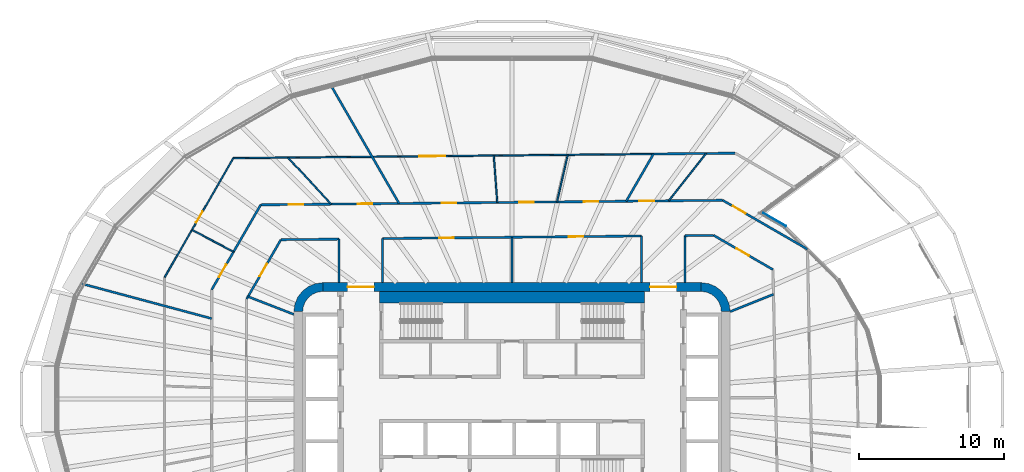
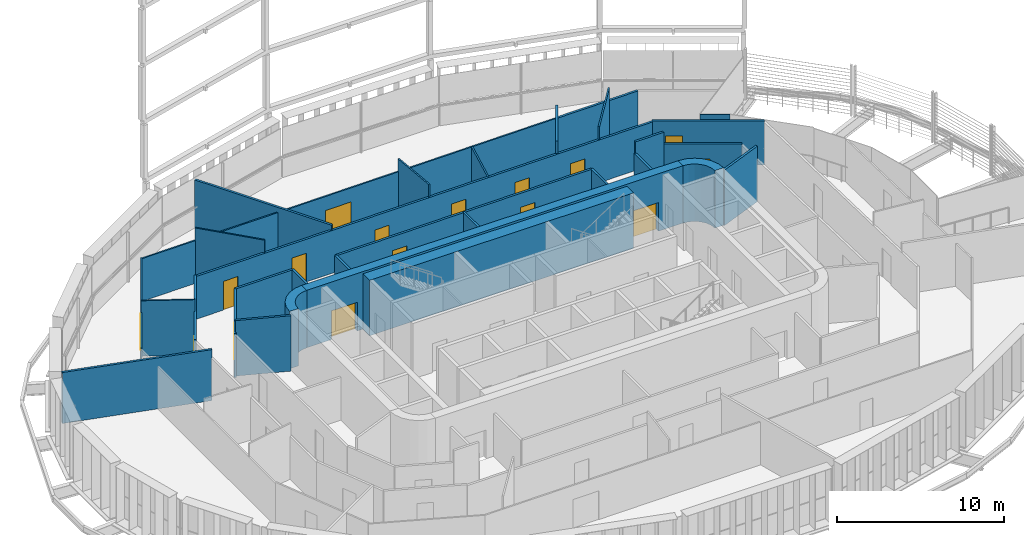
# One storey, part 18 of 28: 31 walls, 16 doors, 16 openings.
"""IFC4 building model written with IfcOpenShell, lengths in metres."""

import ifcopenshell
import ifcopenshell.guid

model = None  # the IFC model being written
_history = None  # IfcOwnerHistory: only IFC2X3 demands one
_inside = {}  # id of a spatial element -> (the spatial element, [elements in it])
_under = {}  # id of a project, library or spatial element -> (it, [spatial elements below it])
_declared = {}  # id of a project -> (the project, [libraries it declares])
_typed = {}  # id of a type object -> (the type object, [elements of that type])
_made_of = {}  # id of a material, layer set ... -> (it, [elements and type objects made of it])


def new_model(schema):
    """Start an empty IFC model of exactly this schema.

    Asked for "IFC4X3", IfcOpenShell would pick the latest addendum, in which some entities
    have other attributes; the version numbers below select the first issue.
    IFC2X3 requires an IfcOwnerHistory on every rooted entity: one is made here for all.
    """
    global model, _history
    if schema == "IFC4X3":
        model = ifcopenshell.file(schema_version=(4, 3, 0, 0))
    else:
        model = ifcopenshell.file(schema=schema)
    _inside.clear()
    _under.clear()
    _declared.clear()
    _typed.clear()
    _made_of.clear()
    _history = None
    if model.schema == "IFC2X3":
        org = make("IfcOrganization", Name="unknown")
        user = make(
            "IfcPersonAndOrganization",
            ThePerson=make("IfcPerson", FamilyName="unknown"),
            TheOrganization=org,
        )
        app = make(
            "IfcApplication",
            ApplicationDeveloper=org,
            Version="unknown",
            ApplicationFullName="unknown",
            ApplicationIdentifier="unknown",
        )
        _history = make(
            "IfcOwnerHistory",
            OwningUser=user,
            OwningApplication=app,
            ChangeAction="ADDED",
            CreationDate=0,
        )
    return model


def make(cls, **values):
    """One entity of the class cls with the attributes given. An attribute that is None is left unset."""
    return model.create_entity(
        cls, **{name: value for name, value in values.items() if value is not None}
    )


def rooted(cls, **values):
    """An entity with a GlobalId (a new one), such as an element, a storey or a relation."""
    return make(cls, GlobalId=ifcopenshell.guid.new(), OwnerHistory=_history, **values)


def si_unit(unit_type, name, prefix=None):
    """IfcSIUnit, for example si_unit("LENGTHUNIT", "METRE", prefix="MILLI")."""
    return make("IfcSIUnit", UnitType=unit_type, Prefix=prefix, Name=name)


def assignment(units):
    """IfcUnitAssignment: the units of a project."""
    return None if units is None else make("IfcUnitAssignment", Units=units)


def point(xyz):
    """IfcCartesianPoint."""
    return None if xyz is None else make("IfcCartesianPoint", Coordinates=xyz)


def direction(xyz):
    """IfcDirection."""
    return None if xyz is None else make("IfcDirection", DirectionRatios=xyz)


def frame(location, z_axis=None, x_axis=None):
    """IfcAxis2Placement3D, a coordinate frame: its origin and axes. An axis left out is left unset."""
    return make(
        "IfcAxis2Placement3D",
        Location=point(location),
        Axis=direction(z_axis),
        RefDirection=direction(x_axis),
    )


def frame_2d(location, x_axis=None):
    """IfcAxis2Placement2D, a coordinate frame in the plane: its origin and x axis."""
    return make(
        "IfcAxis2Placement2D", Location=point(location), RefDirection=direction(x_axis)
    )


def origin():
    """The frame at (0, 0, 0) with its axes left unset."""
    return frame((0.0, 0.0, 0.0))


def place(relative_to, where):
    """IfcLocalPlacement: puts the frame where relative to a parent placement (None: the world)."""
    return make(
        "IfcLocalPlacement", PlacementRelTo=relative_to, RelativePlacement=where
    )


def context(
    kind, dimensions, precision=None, world=None, true_north=None, identifier=None
):
    """IfcGeometricRepresentationContext, for example the 3D "Model" context."""
    return make(
        "IfcGeometricRepresentationContext",
        ContextIdentifier=identifier,
        ContextType=kind,
        CoordinateSpaceDimension=dimensions,
        Precision=precision,
        WorldCoordinateSystem=world,
        TrueNorth=true_north,
    )


def subcontext(parent, identifier, kind, view, scale=None):
    """IfcGeometricRepresentationSubContext, for example "Body" below "Model"."""
    return make(
        "IfcGeometricRepresentationSubContext",
        ContextIdentifier=identifier,
        ContextType=kind,
        ParentContext=parent,
        TargetScale=scale,
        TargetView=view,
    )


def project(units=None, contexts=None):
    """IfcProject with its units and contexts."""
    return rooted(
        "IfcProject",
        Name="project",
        RepresentationContexts=contexts,
        UnitsInContext=assignment(units),
    )


def spatial(cls, under=None, at=None, **own):
    """A site, building, storey or space (cls), placed at a placement, below another one or the project."""
    s = rooted(cls, ObjectPlacement=at, **own)
    if under is not None:
        _under.setdefault(under.id(), (under, []))[1].append(s)
    return s


def polyline(points):
    """IfcPolyline through the points."""
    return make("IfcPolyline", Points=[point(p) for p in points])


def profile(cls, at=None, kind="AREA", **sizes):
    """A parametric profile (cls). Its sizes go by their IFC names, for example OverallWidth=200.0."""
    return make(cls, ProfileType=kind, Position=at, **sizes)


def rectangle(**sizes):
    """IfcRectangleProfileDef."""
    return profile("IfcRectangleProfileDef", **sizes)


def outline(outer, holes=None, kind="AREA"):
    """IfcArbitraryClosedProfileDef: a profile drawn as a closed curve; with holes, ...WithVoids."""
    if holes is None:
        return make("IfcArbitraryClosedProfileDef", ProfileType=kind, OuterCurve=outer)
    return make(
        "IfcArbitraryProfileDefWithVoids",
        ProfileType=kind,
        OuterCurve=outer,
        InnerCurves=holes,
    )


def extrude(swept, where, along, depth):
    """IfcExtrudedAreaSolid: the profile swept, set in the frame where, extruded along a direction by depth."""
    return make(
        "IfcExtrudedAreaSolid",
        SweptArea=swept,
        Position=where,
        ExtrudedDirection=direction(along),
        Depth=depth,
    )


def shape(context_of_items, identifier, shape_type, items):
    """IfcShapeRepresentation: the items that make up one representation, for example the "Body"."""
    return make(
        "IfcShapeRepresentation",
        ContextOfItems=context_of_items,
        RepresentationIdentifier=identifier,
        RepresentationType=shape_type,
        Items=items,
    )


def material(Name=None, Category=None):
    """IfcMaterial."""
    return make("IfcMaterial", Name=Name, Category=Category)


def layer(
    of_material, thickness, ventilated=None, Name=None, Category=None, Priority=None
):
    """IfcMaterialLayer: one layer of a wall or slab, of a material (None: an air gap)."""
    return make(
        "IfcMaterialLayer",
        Material=of_material,
        LayerThickness=thickness,
        IsVentilated=ventilated,
        Name=Name,
        Category=Category,
        Priority=Priority,
    )


def layer_set(layers, Name=None):
    """IfcMaterialLayerSet."""
    return make("IfcMaterialLayerSet", MaterialLayers=layers, LayerSetName=Name)


def made_of(thing, what):
    """Note that an element or type object is made of a material, layer set ...; save() writes the relation."""
    if what is not None:
        _made_of.setdefault(what.id(), (what, []))[1].append(thing)
    return thing


def type_object(cls, material=None, **own):
    """A type object (cls), such as IfcWallType, which elements share."""
    return made_of(rooted(cls, **own), material)


def element(
    cls,
    number,
    at=None,
    inside=None,
    cuts=None,
    type_object=None,
    material=None,
    context=None,
    identifier="Body",
    shape_type=None,
    held_by="IfcProductDefinitionShape",
    body=None,
    shapes=None,
    **own,
):
    """One element of the class cls, such as IfcWall. Its Tag is "e" and its number.

    at: its placement. inside: the storey or other place that contains it. cuts: it is an
    opening in that element (IfcRelVoidsElement). A single representation is given by context,
    identifier, shape_type and body (its items); several are given by shapes. held_by: the class
    of the entity that holds the representations. save() writes the other relations.
    """
    e = rooted(cls, Tag="e%d" % number, ObjectPlacement=at, **own)
    if body is not None:
        shapes = [shape(context, identifier, shape_type, body)]
    if shapes is not None:
        e.Representation = make(held_by, Representations=shapes)
    if inside is not None:
        _inside.setdefault(inside.id(), (inside, []))[1].append(e)
    if cuts is not None:
        rooted(
            "IfcRelVoidsElement", RelatingBuildingElement=cuts, RelatedOpeningElement=e
        )
    if type_object is not None:
        _typed.setdefault(type_object.id(), (type_object, []))[1].append(e)
    return made_of(e, material)


def fill(opening, filler):
    """IfcRelFillsElement: the door or window that sits in an opening."""
    return rooted(
        "IfcRelFillsElement",
        RelatingOpeningElement=opening,
        RelatedBuildingElement=filler,
    )


def aggregate(whole, parts):
    """IfcRelAggregates: a whole, such as a stair, and the parts it consists of."""
    return rooted("IfcRelAggregates", RelatingObject=whole, RelatedObjects=parts)


def save(model, path):
    """Write the relations noted so far, then the file.

    IfcRelAggregates (storeys below a building ...), IfcRelContainedInSpatialStructure (elements
    in a storey), IfcRelDefinesByType, IfcRelAssociatesMaterial and IfcRelDeclares: one each for
    every whole, place, type object, material and project.
    """
    for whole, parts in _under.values():
        aggregate(whole, parts)
    for where, things in _inside.values():
        rooted(
            "IfcRelContainedInSpatialStructure",
            RelatedElements=things,
            RelatingStructure=where,
        )
    for kind, things in _typed.values():
        rooted("IfcRelDefinesByType", RelatedObjects=things, RelatingType=kind)
    for what, things in _made_of.values():
        rooted("IfcRelAssociatesMaterial", RelatedObjects=things, RelatingMaterial=what)
    for by, libraries in _declared.values():
        rooted("IfcRelDeclares", RelatingContext=by, RelatedDefinitions=libraries)
    model.write(path)


model = new_model("IFC4")

# Units and contexts
model_context = context("Model", 3, precision=1e-05, world=origin(), true_north=direction((0.0, 1.0)))
body_context = subcontext(model_context, "Body", "Model", "MODEL_VIEW")
ifc_project = project(units=[si_unit("LENGTHUNIT", "METRE"), si_unit("AREAUNIT", "SQUARE_METRE"), si_unit("VOLUMEUNIT", "CUBIC_METRE"), si_unit("PLANEANGLEUNIT", "RADIAN"), si_unit("MASSUNIT", "GRAM", prefix="KILO")], contexts=[model_context])

# Site, building, storey
site_placement = place(None, origin())
site = spatial("IfcSite", under=ifc_project, at=site_placement, CompositionType="ELEMENT")
building_placement = place(site_placement, origin())
building = spatial("IfcBuilding", under=site, at=building_placement, Name="Sahrelin Media Tower", CompositionType="ELEMENT")
storey_placement = place(building_placement, frame((0.0, 0.0, 75.60009765625)))
storey = spatial("IfcBuildingStorey", under=building, at=storey_placement, Name="L13", CompositionType="ELEMENT", Elevation=75.60009765625)

# Wall, openings, doors
ifc_material_1 = material(Name="Concrete C60/75", Category="concrete")
ifc_layer_1 = layer(ifc_material_1, 0.60009765625)
ifc_layer_set_1 = layer_set([ifc_layer_1], Name="Core wall 600")
wall_type_1 = type_object("IfcWallType", Name="Core wall 600", PredefinedType="SHEAR", material=ifc_layer_set_1)
wall_1_placement = place(storey_placement, frame((-13.0, 7.699951171875, 0.0), z_axis=(0.0, 0.0, 1.0), x_axis=(1.0, 0.0, 0.0)))
wall_1 = element("IfcWall", 1, at=wall_1_placement, inside=storey, type_object=wall_type_1, Name="Core wall N L13", PredefinedType="SHEAR", context=body_context, shape_type="SweptSolid", body=[
    extrude(rectangle(XDim=26.0, YDim=0.60009765625, at=frame_2d((13.0, 0.0))), origin(), (0.0, 0.0, 1.0), 4.199951171875),
])
opening_1_placement = place(wall_1_placement, frame((1.699951171875, 0.0, 0.0)))
opening_1 = element("IfcOpeningElement", 2, at=opening_1_placement, cuts=wall_1, Name="Opening L13-D16", PredefinedType="OPENING", context=body_context, shape_type="SweptSolid", body=[
    extrude(rectangle(XDim=1.800048828125, YDim=2.10009765625, at=frame_2d((0.89990234375, 1.050048828125))), frame((0.0, 0.300048828125, 0.0), z_axis=(0.0, -1.0, 0.0), x_axis=(1.0, 0.0, 0.0)), (0.0, 0.0, 1.0), 0.60009765625),
])
opening_2_placement = place(wall_1_placement, frame((22.5, 0.0, 0.0)))
opening_2 = element("IfcOpeningElement", 3, at=opening_2_placement, cuts=wall_1, Name="Opening L13-D17", PredefinedType="OPENING", context=body_context, shape_type="SweptSolid", body=[
    extrude(rectangle(XDim=1.800048828125, YDim=2.10009765625, at=frame_2d((0.89990234375, 1.050048828125))), frame((0.0, 0.300048828125, 0.0), z_axis=(0.0, -1.0, 0.0), x_axis=(1.0, 0.0, 0.0)), (0.0, 0.0, 1.0), 0.60009765625),
])
ifc_material_2 = material(Name="Steel fire door leaf", Category="steel")
door_type_1 = type_object("IfcDoorType", Name="Lobby double door 1800 x 2100 EI 60", OperationType="DOUBLE_DOOR_SINGLE_SWING", PredefinedType="DOOR", material=ifc_material_2)
door_1_placement = place(opening_1_placement, origin())
door_1 = element("IfcDoor", 4, at=door_1_placement, inside=storey, type_object=door_type_1, Name="Lobby door", OperationType="DOUBLE_DOOR_SINGLE_SWING", OverallHeight=2.10009765625, OverallWidth=1.800048828125, PredefinedType="DOOR", context=body_context, shape_type="SweptSolid", body=[
    extrude(rectangle(XDim=1.800048828125, YDim=2.10009765625, at=frame_2d((0.89990234375, 1.050048828125))), frame((0.0, 0.02490234375, 0.0), z_axis=(0.0, -1.0, 0.0), x_axis=(1.0, 0.0, 0.0)), (0.0, 0.0, 1.0), 0.050048828125),
])
fill(opening_1, door_1)
door_2_placement = place(opening_2_placement, origin())
door_2 = element("IfcDoor", 5, at=door_2_placement, inside=storey, type_object=door_type_1, Name="Lobby door", OperationType="DOUBLE_DOOR_SINGLE_SWING", OverallHeight=2.10009765625, OverallWidth=1.800048828125, PredefinedType="DOOR", context=body_context, shape_type="SweptSolid", body=[
    extrude(rectangle(XDim=1.800048828125, YDim=2.10009765625, at=frame_2d((0.89990234375, 1.050048828125))), frame((0.0, 0.02490234375, 0.0), z_axis=(0.0, -1.0, 0.0), x_axis=(1.0, 0.0, 0.0)), (0.0, 0.0, 1.0), 0.050048828125),
])
fill(opening_2, door_2)

# Walls
placement = place(storey_placement, origin())
element("IfcWall", 6, at=placement, inside=storey, type_object=wall_type_1, Name="Core wall corner NE L13", PredefinedType="SHEAR", context=body_context, shape_type="SweptSolid", body=[
    extrude(outline(polyline([(13.0, 8.0), (13.0, 7.394775390625), (13.361083984375, 7.347412109375), (13.697509765625, 7.2080078125), (13.986328125, 6.986328125), (14.2080078125, 6.697509765625), (14.347412109375, 6.361083984375), (14.394775390625, 6.0), (15.0, 6.0), (14.931884765625, 6.517578125), (14.732177734375, 7.0), (14.414306640625, 7.414306640625), (14.0, 7.732177734375), (13.517578125, 7.931884765625), (13.0, 8.0)])), origin(), (0.0, 0.0, 1.0), 4.199951171875),
])
element("IfcWall", 7, at=placement, inside=storey, type_object=wall_type_1, Name="Core wall corner NW L13", PredefinedType="SHEAR", context=body_context, shape_type="SweptSolid", body=[
    extrude(outline(polyline([(-15.0, 6.0), (-14.394775390625, 6.0), (-14.347412109375, 6.361083984375), (-14.2080078125, 6.697509765625), (-13.986328125, 6.986328125), (-13.697509765625, 7.2080078125), (-13.361083984375, 7.347412109375), (-13.0, 7.394775390625), (-13.0, 8.0), (-13.517578125, 7.931884765625), (-14.0, 7.732177734375), (-14.414306640625, 7.414306640625), (-14.732177734375, 7.0), (-14.931884765625, 6.517578125), (-15.0, 6.0)])), origin(), (0.0, 0.0, 1.0), 4.199951171875),
])
ifc_material_3 = material(Name="Fire-rated gypsum board partition")
ifc_layer_2 = layer(ifc_material_3, 0.14990234375)
ifc_layer_set_2 = layer_set([ifc_layer_2], Name="Fire-rated partition 150")
wall_type_2 = type_object("IfcWallType", Name="Fire-rated partition 150", PredefinedType="PARTITIONING", material=ifc_layer_set_2)
wall_4_placement = place(storey_placement, frame((-12.490966796875, 21.634033203125, 0.0), z_axis=(0.0, 0.0, 1.0), x_axis=(0.500023386278, -0.86601190129, 0.0)))
element("IfcWall", 8, at=wall_4_placement, inside=storey, type_object=wall_type_2, Name="Wall", PredefinedType="PARTITIONING", context=body_context, shape_type="SweptSolid", body=[
    extrude(rectangle(XDim=9.45703125, YDim=0.14990234375, at=frame_2d((4.728515625, 0.0))), origin(), (0.0, 0.0, 1.0), 3.501708984375),
])

# Wall, opening, door
wall_5_placement = place(storey_placement, frame((13.85595703125, 11.259033203125, 0.0), z_axis=(0.0, 0.0, 1.0), x_axis=(0.865971100816, -0.500094043707, 0.0)))
wall_5 = element("IfcWall", 9, at=wall_5_placement, inside=storey, type_object=wall_type_2, Name="Wall", PredefinedType="PARTITIONING", context=body_context, shape_type="SweptSolid", body=[
    extrude(rectangle(XDim=4.72021484375, YDim=0.14990234375, at=frame_2d((2.360107421875, 0.0))), origin(), (0.0, 0.0, 1.0), 3.195068359375),
])
opening_3_placement = place(wall_5_placement, frame((1.81201171875, 0.0, 0.0)))
opening_3 = element("IfcOpeningElement", 10, at=opening_3_placement, cuts=wall_5, Name="Opening L13-D25", PredefinedType="OPENING", context=body_context, shape_type="SweptSolid", body=[
    extrude(rectangle(XDim=1.0, YDim=2.10009765625, at=frame_2d((0.5, 1.050048828125))), frame((0.0, 0.074951171875, 0.0), z_axis=(0.0, -1.0, 0.0), x_axis=(1.0, 0.0, 0.0)), (0.0, 0.0, 1.0), 0.14990234375),
])
door_type_2 = type_object("IfcDoorType", Name="Fire door 1000 x 2100 EI 60", OperationType="NOTDEFINED", PredefinedType="DOOR", material=ifc_material_2)
door_3_placement = place(opening_3_placement, origin())
door_3 = element("IfcDoor", 11, at=door_3_placement, inside=storey, type_object=door_type_2, Name="Fire door", OperationType="SINGLE_SWING_LEFT", OverallHeight=2.10009765625, OverallWidth=1.0, PredefinedType="DOOR", context=body_context, shape_type="SweptSolid", body=[
    extrude(rectangle(XDim=1.0, YDim=2.10009765625, at=frame_2d((0.5, 1.050048828125))), frame((0.0, 0.02490234375, 0.0), z_axis=(0.0, -1.0, 0.0), x_axis=(1.0, 0.0, 0.0)), (0.0, 0.0, 1.0), 0.050048828125),
])
fill(opening_3, door_3)

wall_6_placement = place(storey_placement, frame((14.48779296875, 13.664794921875, 0.0), z_axis=(0.0, 0.0, 1.0), x_axis=(0.865978916812, -0.500080509155, 0.0)))
wall_6 = element("IfcWall", 12, at=wall_6_placement, inside=storey, type_object=wall_type_2, Name="Wall", PredefinedType="PARTITIONING", context=body_context, shape_type="SweptSolid", body=[
    extrude(rectangle(XDim=6.728515625, YDim=0.14990234375, at=frame_2d((3.3642578125, 0.0))), origin(), (0.0, 0.0, 1.0), 3.195068359375),
])
opening_4_placement = place(wall_6_placement, frame((0.80322265625, 0.0, 0.0)))
opening_4 = element("IfcOpeningElement", 13, at=opening_4_placement, cuts=wall_6, Name="Opening L13-D40", PredefinedType="OPENING", context=body_context, shape_type="SweptSolid", body=[
    extrude(rectangle(XDim=1.0, YDim=2.10009765625, at=frame_2d((0.5, 1.050048828125))), frame((0.0, 0.074951171875, 0.0), z_axis=(0.0, -1.0, 0.0), x_axis=(1.0, 0.0, 0.0)), (0.0, 0.0, 1.0), 0.14990234375),
])
door_4_placement = place(opening_4_placement, origin())
door_4 = element("IfcDoor", 14, at=door_4_placement, inside=storey, type_object=door_type_2, Name="Fire door", OperationType="SINGLE_SWING_RIGHT", OverallHeight=2.10009765625, OverallWidth=1.0, PredefinedType="DOOR", context=body_context, shape_type="SweptSolid", body=[
    extrude(rectangle(XDim=1.0, YDim=2.10009765625, at=frame_2d((0.5, 1.050048828125))), frame((0.0, 0.02490234375, 0.0), z_axis=(0.0, -1.0, 0.0), x_axis=(1.0, 0.0, 0.0)), (0.0, 0.0, 1.0), 0.050048828125),
])
fill(opening_4, door_4)

# Walls
wall_7_placement = place(storey_placement, frame((-18.15087890625, 7.0419921875, 0.0), z_axis=(0.0, 0.0, 1.0), x_axis=(0.93232154811, -0.361630378881, 0.0)))
element("IfcWall", 15, at=wall_7_placement, inside=storey, type_object=wall_type_2, Name="Wall", PredefinedType="PARTITIONING", context=body_context, shape_type="SweptSolid", body=[
    extrude(rectangle(XDim=3.379638671875, YDim=0.14990234375, at=frame_2d((1.68994140625, 0.0))), origin(), (0.0, 0.0, 1.0), 4.0498046875),
])
wall_8_placement = place(storey_placement, frame((-29.60498046875, 7.93310546875, 0.0), z_axis=(0.0, 0.0, 1.0), x_axis=(0.965908551929, -0.258883505289, 0.0)))
element("IfcWall", 16, at=wall_8_placement, inside=storey, type_object=wall_type_2, Name="Wall", PredefinedType="PARTITIONING", context=body_context, shape_type="SweptSolid", body=[
    extrude(rectangle(XDim=9.271240234375, YDim=0.14990234375, at=frame_2d((4.6357421875, 0.0))), origin(), (0.0, 0.0, 1.0), 3.7265625),
])
wall_9_placement = place(storey_placement, frame((-15.886962890625, 10.952880859375, 0.0), z_axis=(0.0, 0.0, 1.0), x_axis=(0.999950802569, 0.009919296431, 0.0)))
element("IfcWall", 17, at=wall_9_placement, inside=storey, type_object=wall_type_2, Name="Wall", PredefinedType="PARTITIONING", context=body_context, shape_type="SweptSolid", body=[
    extrude(rectangle(XDim=3.9873046875, YDim=0.14990234375, at=frame_2d((1.99365234375, 0.0))), origin(), (0.0, 0.0, 1.0), 3.195068359375),
])

# Wall, openings, doors
wall_10_placement = place(storey_placement, frame((-8.89990234375, 11.032958984375, 0.0), z_axis=(0.0, 0.0, 1.0), x_axis=(0.999950834077, 0.009916119672, 0.0)))
wall_10 = element("IfcWall", 18, at=wall_10_placement, inside=storey, type_object=wall_type_2, Name="Wall", PredefinedType="PARTITIONING", context=body_context, shape_type="SweptSolid", body=[
    extrude(rectangle(XDim=17.80078125, YDim=0.14990234375, at=frame_2d((8.900390625, 0.0))), origin(), (0.0, 0.0, 1.0), 3.126953125),
])
opening_5_placement = place(wall_10_placement, frame((12.80029296875, 0.0, 0.0)))
opening_5 = element("IfcOpeningElement", 19, at=opening_5_placement, cuts=wall_10, Name="Opening L13-D26", PredefinedType="OPENING", context=body_context, shape_type="SweptSolid", body=[
    extrude(rectangle(XDim=1.0, YDim=2.10009765625, at=frame_2d((0.5, 1.050048828125))), frame((0.0, 0.074951171875, 0.0), z_axis=(0.0, -1.0, 0.0), x_axis=(1.0, 0.0, 0.0)), (0.0, 0.0, 1.0), 0.14990234375),
])
opening_6_placement = place(wall_10_placement, frame((3.901123046875, 0.0, 0.0)))
opening_6 = element("IfcOpeningElement", 20, at=opening_6_placement, cuts=wall_10, Name="Opening L13-D27", PredefinedType="OPENING", context=body_context, shape_type="SweptSolid", body=[
    extrude(rectangle(XDim=1.0, YDim=2.10009765625, at=frame_2d((0.5, 1.050048828125))), frame((0.0, 0.074951171875, 0.0), z_axis=(0.0, -1.0, 0.0), x_axis=(1.0, 0.0, 0.0)), (0.0, 0.0, 1.0), 0.14990234375),
])
door_5_placement = place(opening_5_placement, origin())
door_5 = element("IfcDoor", 21, at=door_5_placement, inside=storey, type_object=door_type_2, Name="Fire door", OperationType="SINGLE_SWING_RIGHT", OverallHeight=2.10009765625, OverallWidth=1.0, PredefinedType="DOOR", context=body_context, shape_type="SweptSolid", body=[
    extrude(rectangle(XDim=1.0, YDim=2.10009765625, at=frame_2d((0.5, 1.050048828125))), frame((0.0, 0.02490234375, 0.0), z_axis=(0.0, -1.0, 0.0), x_axis=(1.0, 0.0, 0.0)), (0.0, 0.0, 1.0), 0.050048828125),
])
fill(opening_5, door_5)
door_6_placement = place(opening_6_placement, origin())
door_6 = element("IfcDoor", 22, at=door_6_placement, inside=storey, type_object=door_type_2, Name="Fire door", OperationType="SINGLE_SWING_LEFT", OverallHeight=2.10009765625, OverallWidth=1.0, PredefinedType="DOOR", context=body_context, shape_type="SweptSolid", body=[
    extrude(rectangle(XDim=1.0, YDim=2.10009765625, at=frame_2d((0.5, 1.050048828125))), frame((0.0, 0.02490234375, 0.0), z_axis=(0.0, -1.0, 0.0), x_axis=(1.0, 0.0, 0.0)), (0.0, 0.0, 1.0), 0.050048828125),
])
fill(opening_6, door_6)

# Wall
wall_11_placement = place(storey_placement, frame((11.89990234375, 11.22998046875, 0.0), z_axis=(0.0, 0.0, 1.0), x_axis=(0.99995016583, 0.00998327883, 0.0)))
element("IfcWall", 23, at=wall_11_placement, inside=storey, type_object=wall_type_2, Name="Wall", PredefinedType="PARTITIONING", context=body_context, shape_type="SweptSolid", body=[
    extrude(rectangle(XDim=1.956298828125, YDim=0.14990234375, at=frame_2d((0.97802734375, 0.0))), origin(), (0.0, 0.0, 1.0), 4.0498046875),
])

# Wall, openings, doors
wall_12_placement = place(storey_placement, frame((-17.281005859375, 13.35009765625, 0.0), z_axis=(0.0, 0.0, 1.0), x_axis=(0.999950941336, 0.009905297661, 0.0)))
wall_12 = element("IfcWall", 24, at=wall_12_placement, inside=storey, type_object=wall_type_2, Name="Wall", PredefinedType="PARTITIONING", context=body_context, shape_type="SweptSolid", body=[
    extrude(rectangle(XDim=31.7705078125, YDim=0.14990234375, at=frame_2d((15.88525390625, 0.0))), origin(), (0.0, 0.0, 1.0), 3.126953125),
])
opening_7_placement = place(wall_12_placement, frame((26.046142578125, 0.0, 0.0)))
opening_7 = element("IfcOpeningElement", 25, at=opening_7_placement, cuts=wall_12, Name="Opening L13-D41", PredefinedType="OPENING", context=body_context, shape_type="SweptSolid", body=[
    extrude(rectangle(XDim=1.0, YDim=2.10009765625, at=frame_2d((0.5, 1.050048828125))), frame((0.0, 0.074951171875, 0.0), z_axis=(0.0, -1.0, 0.0), x_axis=(1.0, 0.0, 0.0)), (0.0, 0.0, 1.0), 0.14990234375),
])
opening_8_placement = place(wall_12_placement, frame((22.202880859375, 0.0, 0.0)))
opening_8 = element("IfcOpeningElement", 26, at=opening_8_placement, cuts=wall_12, Name="Opening L13-D43", PredefinedType="OPENING", context=body_context, shape_type="SweptSolid", body=[
    extrude(rectangle(XDim=1.0, YDim=2.10009765625, at=frame_2d((0.5, 1.050048828125))), frame((0.0, 0.074951171875, 0.0), z_axis=(0.0, -1.0, 0.0), x_axis=(1.0, 0.0, 0.0)), (0.0, 0.0, 1.0), 0.14990234375),
])
opening_9_placement = place(wall_12_placement, frame((17.773193359375, 0.0, 0.0)))
opening_9 = element("IfcOpeningElement", 27, at=opening_9_placement, cuts=wall_12, Name="Opening L13-D44", PredefinedType="OPENING", context=body_context, shape_type="SweptSolid", body=[
    extrude(rectangle(XDim=1.0, YDim=2.10009765625, at=frame_2d((0.5, 1.050048828125))), frame((0.0, 0.074951171875, 0.0), z_axis=(0.0, -1.0, 0.0), x_axis=(1.0, 0.0, 0.0)), (0.0, 0.0, 1.0), 0.14990234375),
])
opening_10_placement = place(wall_12_placement, frame((12.4453125, 0.0, 0.0)))
opening_10 = element("IfcOpeningElement", 28, at=opening_10_placement, cuts=wall_12, Name="Opening L13-D45", PredefinedType="OPENING", context=body_context, shape_type="SweptSolid", body=[
    extrude(rectangle(XDim=1.0, YDim=2.10009765625, at=frame_2d((0.5, 1.050048828125))), frame((0.0, 0.074951171875, 0.0), z_axis=(0.0, -1.0, 0.0), x_axis=(1.0, 0.0, 0.0)), (0.0, 0.0, 1.0), 0.14990234375),
])
opening_11_placement = place(wall_12_placement, frame((6.68359375, 0.0, 0.0)))
opening_11 = element("IfcOpeningElement", 29, at=opening_11_placement, cuts=wall_12, Name="Opening L13-D47", PredefinedType="OPENING", context=body_context, shape_type="SweptSolid", body=[
    extrude(rectangle(XDim=1.0, YDim=2.10009765625, at=frame_2d((0.5, 1.050048828125))), frame((0.0, 0.074951171875, 0.0), z_axis=(0.0, -1.0, 0.0), x_axis=(1.0, 0.0, 0.0)), (0.0, 0.0, 1.0), 0.14990234375),
])
opening_12_placement = place(wall_12_placement, frame((1.924560546875, 0.0, 0.0)))
opening_12 = element("IfcOpeningElement", 30, at=opening_12_placement, cuts=wall_12, Name="Opening L13-D48", PredefinedType="OPENING", context=body_context, shape_type="SweptSolid", body=[
    extrude(rectangle(XDim=1.0, YDim=2.10009765625, at=frame_2d((0.5, 1.050048828125))), frame((0.0, 0.074951171875, 0.0), z_axis=(0.0, -1.0, 0.0), x_axis=(1.0, 0.0, 0.0)), (0.0, 0.0, 1.0), 0.14990234375),
])
door_7_placement = place(opening_7_placement, origin())
door_7 = element("IfcDoor", 31, at=door_7_placement, inside=storey, type_object=door_type_2, Name="Fire door", OperationType="SINGLE_SWING_RIGHT", OverallHeight=2.10009765625, OverallWidth=1.0, PredefinedType="DOOR", context=body_context, shape_type="SweptSolid", body=[
    extrude(rectangle(XDim=1.0, YDim=2.10009765625, at=frame_2d((0.5, 1.050048828125))), frame((0.0, 0.02490234375, 0.0), z_axis=(0.0, -1.0, 0.0), x_axis=(1.0, 0.0, 0.0)), (0.0, 0.0, 1.0), 0.050048828125),
])
fill(opening_7, door_7)
door_8_placement = place(opening_8_placement, origin())
door_8 = element("IfcDoor", 32, at=door_8_placement, inside=storey, type_object=door_type_2, Name="Fire door", OperationType="SINGLE_SWING_RIGHT", OverallHeight=2.10009765625, OverallWidth=1.0, PredefinedType="DOOR", context=body_context, shape_type="SweptSolid", body=[
    extrude(rectangle(XDim=1.0, YDim=2.10009765625, at=frame_2d((0.5, 1.050048828125))), frame((0.0, 0.02490234375, 0.0), z_axis=(0.0, -1.0, 0.0), x_axis=(1.0, 0.0, 0.0)), (0.0, 0.0, 1.0), 0.050048828125),
])
fill(opening_8, door_8)
door_9_placement = place(opening_9_placement, origin())
door_9 = element("IfcDoor", 33, at=door_9_placement, inside=storey, type_object=door_type_2, Name="Fire door", OperationType="SINGLE_SWING_LEFT", OverallHeight=2.10009765625, OverallWidth=1.0, PredefinedType="DOOR", context=body_context, shape_type="SweptSolid", body=[
    extrude(rectangle(XDim=1.0, YDim=2.10009765625, at=frame_2d((0.5, 1.050048828125))), frame((0.0, 0.02490234375, 0.0), z_axis=(0.0, -1.0, 0.0), x_axis=(1.0, 0.0, 0.0)), (0.0, 0.0, 1.0), 0.050048828125),
])
fill(opening_9, door_9)
door_10_placement = place(opening_10_placement, origin())
door_10 = element("IfcDoor", 34, at=door_10_placement, inside=storey, type_object=door_type_2, Name="Fire door", OperationType="SINGLE_SWING_RIGHT", OverallHeight=2.10009765625, OverallWidth=1.0, PredefinedType="DOOR", context=body_context, shape_type="SweptSolid", body=[
    extrude(rectangle(XDim=1.0, YDim=2.10009765625, at=frame_2d((0.5, 1.050048828125))), frame((0.0, 0.02490234375, 0.0), z_axis=(0.0, -1.0, 0.0), x_axis=(1.0, 0.0, 0.0)), (0.0, 0.0, 1.0), 0.050048828125),
])
fill(opening_10, door_10)
door_11_placement = place(opening_11_placement, origin())
door_11 = element("IfcDoor", 35, at=door_11_placement, inside=storey, type_object=door_type_2, Name="Fire door", OperationType="SINGLE_SWING_RIGHT", OverallHeight=2.10009765625, OverallWidth=1.0, PredefinedType="DOOR", context=body_context, shape_type="SweptSolid", body=[
    extrude(rectangle(XDim=1.0, YDim=2.10009765625, at=frame_2d((0.5, 1.050048828125))), frame((0.0, 0.02490234375, 0.0), z_axis=(0.0, -1.0, 0.0), x_axis=(1.0, 0.0, 0.0)), (0.0, 0.0, 1.0), 0.050048828125),
])
fill(opening_11, door_11)
door_12_placement = place(opening_12_placement, origin())
door_12 = element("IfcDoor", 36, at=door_12_placement, inside=storey, type_object=door_type_2, Name="Fire door", OperationType="SINGLE_SWING_RIGHT", OverallHeight=2.10009765625, OverallWidth=1.0, PredefinedType="DOOR", context=body_context, shape_type="SweptSolid", body=[
    extrude(rectangle(XDim=1.0, YDim=2.10009765625, at=frame_2d((0.5, 1.050048828125))), frame((0.0, 0.02490234375, 0.0), z_axis=(0.0, -1.0, 0.0), x_axis=(1.0, 0.0, 0.0)), (0.0, 0.0, 1.0), 0.050048828125),
])
fill(opening_12, door_12)

# Walls
wall_13_placement = place(storey_placement, frame((9.72802734375, 16.847900390625, 0.0), z_axis=(0.0, 0.0, 1.0), x_axis=(0.999950796702, 0.009919887815, 0.0)))
element("IfcWall", 37, at=wall_13_placement, inside=storey, type_object=wall_type_2, Name="Wall", PredefinedType="PARTITIONING", context=body_context, shape_type="SweptSolid", body=[
    extrude(rectangle(XDim=5.611328125, YDim=0.14990234375, at=frame_2d((2.8056640625, 0.0))), origin(), (0.0, 0.0, 1.0), 3.126953125),
])
wall_14_placement = place(storey_placement, frame((14.9990234375, 6.006103515625, 0.0), z_axis=(0.0, 0.0, 1.0), x_axis=(0.928292988159, 0.371849604188, 0.0)))
element("IfcWall", 38, at=wall_14_placement, inside=storey, type_object=wall_type_2, Name="Wall", PredefinedType="PARTITIONING", context=body_context, shape_type="SweptSolid", body=[
    extrude(rectangle(XDim=3.2099609375, YDim=0.14990234375, at=frame_2d((1.60498046875, 0.0))), origin(), (0.0, 0.0, 1.0), 4.0498046875),
])
wall_15_placement = place(storey_placement, frame((7.85205078125, 13.59912109375, 0.0), z_axis=(0.0, 0.0, 1.0), x_axis=(0.500233145618, 0.865890755249, 0.0)))
element("IfcWall", 39, at=wall_15_placement, inside=storey, type_object=wall_type_2, Name="Wall", PredefinedType="PARTITIONING", context=body_context, shape_type="SweptSolid", body=[
    extrude(rectangle(XDim=3.751708984375, YDim=0.14990234375, at=frame_2d((1.8759765625, 0.0))), origin(), (0.0, 0.0, 1.0), 4.0498046875),
])

# Wall, opening, door
wall_16_placement = place(storey_placement, frame((-18.25, 6.87109375, 0.0), z_axis=(0.0, 0.0, 1.0), x_axis=(0.500254304961, 0.865878530955, 0.0)))
wall_16 = element("IfcWall", 40, at=wall_16_placement, inside=storey, type_object=wall_type_2, Name="Wall", PredefinedType="PARTITIONING", context=body_context, shape_type="SweptSolid", body=[
    extrude(rectangle(XDim=4.71484375, YDim=0.14990234375, at=frame_2d((2.357421875, 0.0))), origin(), (0.0, 0.0, 1.0), 3.195068359375),
])
opening_13_placement = place(wall_16_placement, frame((1.810302734375, 0.0, 0.0)))
opening_13 = element("IfcOpeningElement", 41, at=opening_13_placement, cuts=wall_16, Name="Opening L13-D28", PredefinedType="OPENING", context=body_context, shape_type="SweptSolid", body=[
    extrude(rectangle(XDim=1.0, YDim=2.10009765625, at=frame_2d((0.5, 1.050048828125))), frame((0.0, 0.074951171875, 0.0), z_axis=(0.0, -1.0, 0.0), x_axis=(1.0, 0.0, 0.0)), (0.0, 0.0, 1.0), 0.14990234375),
])
door_13_placement = place(opening_13_placement, origin())
door_13 = element("IfcDoor", 42, at=door_13_placement, inside=storey, type_object=door_type_2, Name="Fire door", OperationType="SINGLE_SWING_RIGHT", OverallHeight=2.10009765625, OverallWidth=1.0, PredefinedType="DOOR", context=body_context, shape_type="SweptSolid", body=[
    extrude(rectangle(XDim=1.0, YDim=2.10009765625, at=frame_2d((0.5, 1.050048828125))), frame((0.0, 0.02490234375, 0.0), z_axis=(0.0, -1.0, 0.0), x_axis=(1.0, 0.0, 0.0)), (0.0, 0.0, 1.0), 0.050048828125),
])
fill(opening_13, door_13)

wall_17_placement = place(storey_placement, frame((-20.64990234375, 7.513916015625, 0.0), z_axis=(0.0, 0.0, 1.0), x_axis=(0.500199125334, 0.865910408192, 0.0)))
wall_17 = element("IfcWall", 43, at=wall_17_placement, inside=storey, type_object=wall_type_2, Name="Wall", PredefinedType="PARTITIONING", context=body_context, shape_type="SweptSolid", body=[
    extrude(rectangle(XDim=6.738525390625, YDim=0.14990234375, at=frame_2d((3.369140625, 0.0))), origin(), (0.0, 0.0, 1.0), 3.195068359375),
])
opening_14_placement = place(wall_17_placement, frame((1.009765625, 0.0, 0.0)))
opening_14 = element("IfcOpeningElement", 44, at=opening_14_placement, cuts=wall_17, Name="Opening L13-D49", PredefinedType="OPENING", context=body_context, shape_type="SweptSolid", body=[
    extrude(rectangle(XDim=1.0, YDim=2.10009765625, at=frame_2d((0.5, 1.050048828125))), frame((0.0, 0.074951171875, 0.0), z_axis=(0.0, -1.0, 0.0), x_axis=(1.0, 0.0, 0.0)), (0.0, 0.0, 1.0), 0.14990234375),
])
door_14_placement = place(opening_14_placement, origin())
door_14 = element("IfcDoor", 45, at=door_14_placement, inside=storey, type_object=door_type_2, Name="Fire door", OperationType="SINGLE_SWING_RIGHT", OverallHeight=2.10009765625, OverallWidth=1.0, PredefinedType="DOOR", context=body_context, shape_type="SweptSolid", body=[
    extrude(rectangle(XDim=1.0, YDim=2.10009765625, at=frame_2d((0.5, 1.050048828125))), frame((0.0, 0.02490234375, 0.0), z_axis=(0.0, -1.0, 0.0), x_axis=(1.0, 0.0, 0.0)), (0.0, 0.0, 1.0), 0.050048828125),
])
fill(opening_14, door_14)

# Walls
wall_18_placement = place(storey_placement, frame((11.89990234375, 8.0, 0.0), z_axis=(0.0, 0.0, 1.0), x_axis=(0.0, 1.0, 0.0)))
element("IfcWall", 46, at=wall_18_placement, inside=storey, type_object=wall_type_2, Name="Wall", PredefinedType="PARTITIONING", context=body_context, shape_type="SweptSolid", body=[
    extrude(rectangle(XDim=3.22900390625, YDim=0.14990234375, at=frame_2d((1.614501953125, 0.0))), origin(), (0.0, 0.0, 1.0), 3.195068359375),
])
wall_19_placement = place(storey_placement, frame((8.89990234375, 8.0, 0.0), z_axis=(0.0, 0.0, 1.0), x_axis=(0.0, 1.0, 0.0)))
element("IfcWall", 47, at=wall_19_placement, inside=storey, type_object=wall_type_2, Name="Wall", PredefinedType="PARTITIONING", context=body_context, shape_type="SweptSolid", body=[
    extrude(rectangle(XDim=3.2099609375, YDim=0.14990234375, at=frame_2d((1.60498046875, 0.0))), origin(), (0.0, 0.0, 1.0), 3.126953125),
])
wall_20_placement = place(storey_placement, frame((0.0, 8.0, 0.0), z_axis=(0.0, 0.0, 1.0), x_axis=(0.0, 1.0, 0.0)))
element("IfcWall", 48, at=wall_20_placement, inside=storey, type_object=wall_type_2, Name="Wall", PredefinedType="PARTITIONING", context=body_context, shape_type="SweptSolid", body=[
    extrude(rectangle(XDim=3.1220703125, YDim=0.14990234375, at=frame_2d((1.56103515625, 0.0))), origin(), (0.0, 0.0, 1.0), 3.126953125),
])
wall_21_placement = place(storey_placement, frame((-8.89990234375, 8.0, 0.0), z_axis=(0.0, 0.0, 1.0), x_axis=(0.0, 1.0, 0.0)))
element("IfcWall", 49, at=wall_21_placement, inside=storey, type_object=wall_type_2, Name="Wall", PredefinedType="PARTITIONING", context=body_context, shape_type="SweptSolid", body=[
    extrude(rectangle(XDim=3.032958984375, YDim=0.14990234375, at=frame_2d((1.5166015625, 0.0))), origin(), (0.0, 0.0, 1.0), 3.126953125),
])
wall_22_placement = place(storey_placement, frame((-11.89990234375, 8.0, 0.0), z_axis=(0.0, 0.0, 1.0), x_axis=(0.0, 1.0, 0.0)))
element("IfcWall", 50, at=wall_22_placement, inside=storey, type_object=wall_type_2, Name="Wall", PredefinedType="PARTITIONING", context=body_context, shape_type="SweptSolid", body=[
    extrude(rectangle(XDim=2.991943359375, YDim=0.14990234375, at=frame_2d((1.49609375, 0.0))), origin(), (0.0, 0.0, 1.0), 3.195068359375),
])
ifc_material_4 = material(Name="Clear glass", Category="glass")
ifc_layer_3 = layer(ifc_material_4, 0.050048828125)
ifc_layer_set_3 = layer_set([ifc_layer_3], Name="Glazed partition 50")
wall_type_3 = type_object("IfcWallType", Name="Glazed partition 50", PredefinedType="PARTITIONING", material=ifc_layer_set_3)
wall_23_placement = place(storey_placement, frame((17.27294921875, 12.7890625, 0.0), z_axis=(0.0, 0.0, 1.0), x_axis=(0.865784864345, -0.500416395285, 0.0)))
element("IfcWall", 51, at=wall_23_placement, inside=storey, type_object=wall_type_3, Name="Wall", PredefinedType="PARTITIONING", context=body_context, shape_type="SweptSolid", body=[
    extrude(rectangle(XDim=1.81689453125, YDim=0.050048828125, at=frame_2d((0.908447265625, 0.0))), origin(), (0.0, 0.0, 1.0), 3.195068359375),
])
ifc_material_5 = material(Name="Gypsum board partition")
ifc_layer_4 = layer(ifc_material_5, 0.10009765625)
ifc_layer_set_4 = layer_set([ifc_layer_4], Name="Partition 100")
wall_type_4 = type_object("IfcWallType", Name="Partition 100", PredefinedType="PARTITIONING", material=ifc_layer_set_4)
wall_24_placement = place(storey_placement, frame((-1.25390625, 16.739990234375, 0.0), z_axis=(0.0, 0.0, 1.0), x_axis=(0.074718721269, -0.997204649353, 0.0)))
element("IfcWall", 52, at=wall_24_placement, inside=storey, type_object=wall_type_4, Name="Wall", PredefinedType="PARTITIONING", context=body_context, shape_type="SweptSolid", body=[
    extrude(rectangle(XDim=3.238037109375, YDim=0.10009765625, at=frame_2d((1.619140625, 0.0))), origin(), (0.0, 0.0, 1.0), 4.0498046875),
])
wall_25_placement = place(storey_placement, frame((-15.402099609375, 16.59912109375, 0.0), z_axis=(0.0, 0.0, 1.0), x_axis=(0.68016798927, -0.733056277766, 0.0)))
element("IfcWall", 53, at=wall_25_placement, inside=storey, type_object=wall_type_4, Name="Wall", PredefinedType="PARTITIONING", context=body_context, shape_type="SweptSolid", body=[
    extrude(rectangle(XDim=4.366943359375, YDim=0.10009765625, at=frame_2d((2.18359375, 0.0))), origin(), (0.0, 0.0, 1.0), 4.0498046875),
])
wall_26_placement = place(storey_placement, frame((-22.00390625, 11.62890625, 0.0), z_axis=(0.0, 0.0, 1.0), x_axis=(0.884171604481, -0.467162256426, 0.0)))
element("IfcWall", 54, at=wall_26_placement, inside=storey, type_object=wall_type_4, Name="Wall", PredefinedType="PARTITIONING", context=body_context, shape_type="SweptSolid", body=[
    extrude(rectangle(XDim=3.232421875, YDim=0.10009765625, at=frame_2d((1.6162109375, 0.0))), origin(), (0.0, 0.0, 1.0), 4.0498046875),
])

# Wall, opening, door
wall_27_placement = place(storey_placement, frame((-19.156982421875, 16.56201171875, 0.0), z_axis=(0.0, 0.0, 1.0), x_axis=(0.99995144091, 0.009854735998, 0.0)))
wall_27 = element("IfcWall", 55, at=wall_27_placement, inside=storey, type_object=wall_type_4, Name="Wall", PredefinedType="PARTITIONING", context=body_context, shape_type="SweptSolid", body=[
    extrude(rectangle(XDim=28.886474609375, YDim=0.10009765625, at=frame_2d((14.443359375, 0.0))), origin(), (0.0, 0.0, 1.0), 3.126953125),
])
opening_15_placement = place(wall_27_placement, frame((12.772705078125, 0.0, 0.0)))
opening_15 = element("IfcOpeningElement", 56, at=opening_15_placement, cuts=wall_27, Name="Opening L13-D46", PredefinedType="OPENING", context=body_context, shape_type="SweptSolid", body=[
    extrude(rectangle(XDim=1.800048828125, YDim=2.10009765625, at=frame_2d((0.89990234375, 1.050048828125))), frame((0.0, 0.050048828125, 0.0), z_axis=(0.0, -1.0, 0.0), x_axis=(1.0, 0.0, 0.0)), (0.0, 0.0, 1.0), 0.10009765625),
])
ifc_material_6 = material(Name="Timber door leaf", Category="wood")
door_type_3 = type_object("IfcDoorType", Name="Double door 1800 x 2100", OperationType="DOUBLE_DOOR_SINGLE_SWING", PredefinedType="DOOR", material=ifc_material_6)
door_15_placement = place(opening_15_placement, origin())
door_15 = element("IfcDoor", 57, at=door_15_placement, inside=storey, type_object=door_type_3, Name="Double door", OperationType="DOUBLE_DOOR_SINGLE_SWING", OverallHeight=2.10009765625, OverallWidth=1.800048828125, PredefinedType="DOOR", context=body_context, shape_type="SweptSolid", body=[
    extrude(rectangle(XDim=1.800048828125, YDim=2.10009765625, at=frame_2d((0.89990234375, 1.050048828125))), frame((0.0, 0.02490234375, 0.0), z_axis=(0.0, -1.0, 0.0), x_axis=(1.0, 0.0, 0.0)), (0.0, 0.0, 1.0), 0.050048828125),
])
fill(opening_15, door_15)

# Wall
wall_28_placement = place(storey_placement, frame((10.780029296875, 13.6279296875, 0.0), z_axis=(0.0, 0.0, 1.0), x_axis=(0.620433303775, 0.784259214525, 0.0)))
element("IfcWall", 58, at=wall_28_placement, inside=storey, type_object=wall_type_4, Name="Wall", PredefinedType="PARTITIONING", context=body_context, shape_type="SweptSolid", body=[
    extrude(rectangle(XDim=4.15185546875, YDim=0.10009765625, at=frame_2d((2.075927734375, 0.0))), origin(), (0.0, 0.0, 1.0), 4.0498046875),
])

# Wall, opening, door
wall_29_placement = place(storey_placement, frame((-23.8798828125, 8.37890625, 0.0), z_axis=(0.0, 0.0, 1.0), x_axis=(0.499871577197, 0.86609953603, 0.0)))
wall_29 = element("IfcWall", 59, at=wall_29_placement, inside=storey, type_object=wall_type_4, Name="Wall", PredefinedType="PARTITIONING", context=body_context, shape_type="SweptSolid", body=[
    extrude(rectangle(XDim=9.4482421875, YDim=0.10009765625, at=frame_2d((4.72412109375, 0.0))), origin(), (0.0, 0.0, 1.0), 3.195068359375),
])
opening_16_placement = place(wall_29_placement, frame((4.324951171875, 0.0, 0.0)))
opening_16 = element("IfcOpeningElement", 60, at=opening_16_placement, cuts=wall_29, Name="Opening L13-D50", PredefinedType="OPENING", context=body_context, shape_type="SweptSolid", body=[
    extrude(rectangle(XDim=0.89990234375, YDim=2.10009765625, at=frame_2d((0.449951171875, 1.050048828125))), frame((0.0, 0.050048828125, 0.0), z_axis=(0.0, -1.0, 0.0), x_axis=(1.0, 0.0, 0.0)), (0.0, 0.0, 1.0), 0.10009765625),
])
door_type_4 = type_object("IfcDoorType", Name="Single door 900 x 2100", OperationType="NOTDEFINED", PredefinedType="DOOR", material=ifc_material_6)
door_16_placement = place(opening_16_placement, origin())
door_16 = element("IfcDoor", 61, at=door_16_placement, inside=storey, type_object=door_type_4, Name="Single door", OperationType="SINGLE_SWING_LEFT", OverallHeight=2.10009765625, OverallWidth=0.89990234375, PredefinedType="DOOR", context=body_context, shape_type="SweptSolid", body=[
    extrude(rectangle(XDim=0.89990234375, YDim=2.10009765625, at=frame_2d((0.449951171875, 1.050048828125))), frame((0.0, 0.02490234375, 0.0), z_axis=(0.0, -1.0, 0.0), x_axis=(1.0, 0.0, 0.0)), (0.0, 0.0, 1.0), 0.050048828125),
])
fill(opening_16, door_16)

# Walls
wall_30_placement = place(storey_placement, frame((3.093017578125, 13.552001953125, 0.0), z_axis=(0.0, 0.0, 1.0), x_axis=(0.222786880978, 0.974867173344, 0.0)))
element("IfcWall", 62, at=wall_30_placement, inside=storey, type_object=wall_type_4, Name="Wall", PredefinedType="PARTITIONING", context=body_context, shape_type="SweptSolid", body=[
    extrude(rectangle(XDim=3.321533203125, YDim=0.10009765625, at=frame_2d((1.66064453125, 0.0))), origin(), (0.0, 0.0, 1.0), 3.126953125),
])
ifc_layer_5 = layer(ifc_material_1, 0.800048828125)
ifc_layer_set_5 = layer_set([ifc_layer_5], Name="Stair enclosure wall 800")
wall_type_5 = type_object("IfcWallType", Name="Stair enclosure wall 800", PredefinedType="SOLIDWALL", material=ifc_layer_set_5)
wall_31_placement = place(storey_placement, frame((-9.125, 7.0, 0.0), z_axis=(0.0, 0.0, 1.0), x_axis=(1.0, 0.0, 0.0)))
element("IfcWall", 63, at=wall_31_placement, inside=storey, type_object=wall_type_5, Name="Stair enclosure wall", PredefinedType="SOLIDWALL", context=body_context, shape_type="SweptSolid", body=[
    extrude(rectangle(XDim=18.25, YDim=0.800048828125, at=frame_2d((9.125, 0.0))), origin(), (0.0, 0.0, 1.0), 4.0498046875),
])

save(model, "model.ifc")
